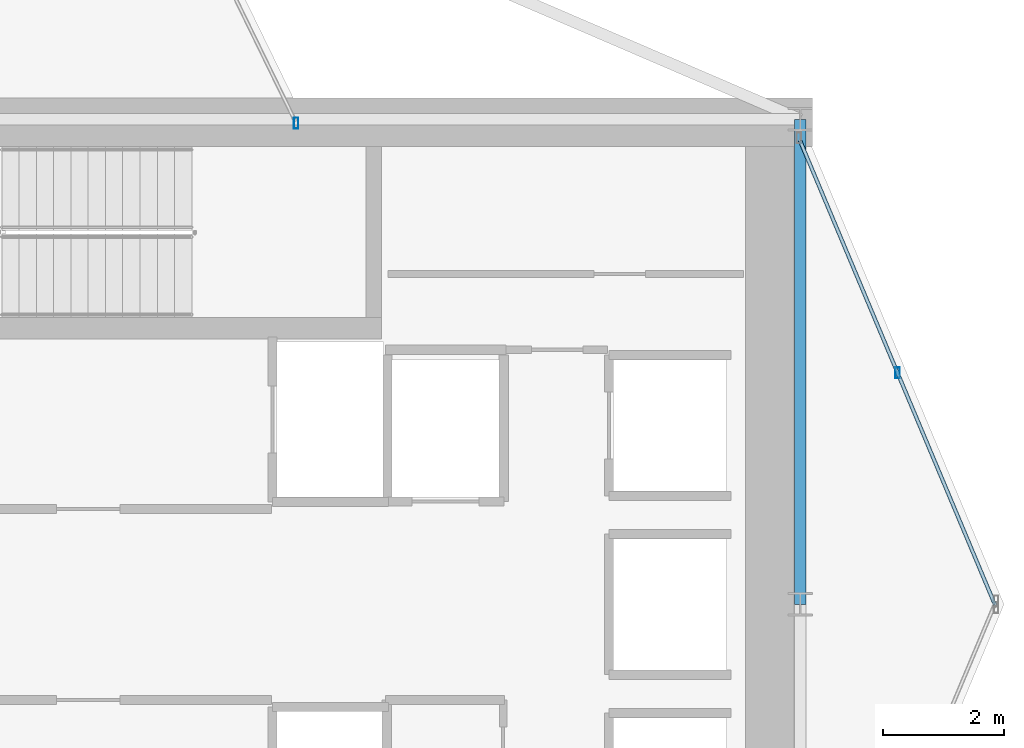
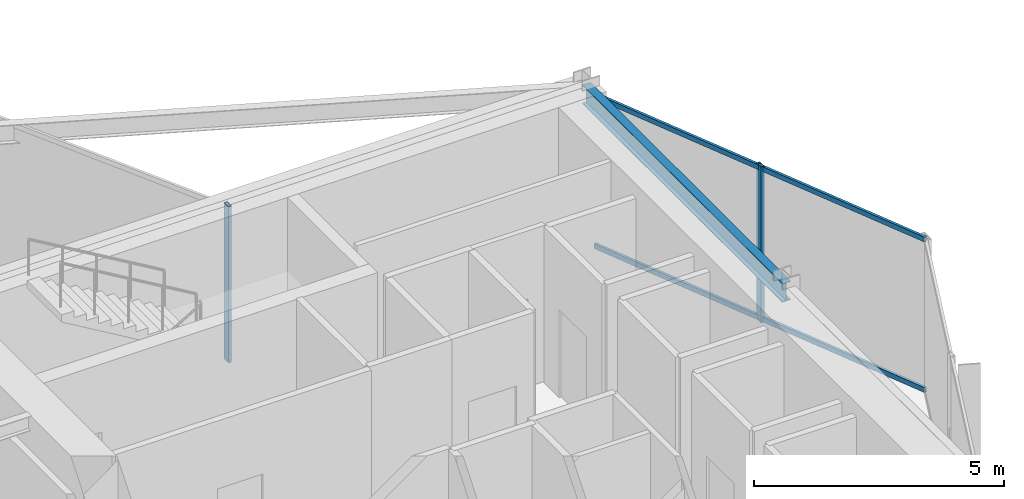
# One storey, part 14 of 25: 4 members, 1 beam, 2 elements without a shape of their own.
"""IFC4 building model written with IfcOpenShell, lengths in metres."""

from ifc_helpers import new_model, si_unit, direction, frame, origin, origin_2d, place, context, subcontext, project, spatial, hollow_rectangle, i_section, extrude, material, layer, layer_set, material_profile, profile_set, type_object, element, aggregate, save


model = new_model("IFC4")

# Units and contexts
model_context = context("Model", 3, precision=1e-05, world=origin(), true_north=direction((0.0, 1.0)))
body_context = subcontext(model_context, "Body", "Model", "MODEL_VIEW")
ifc_project = project(units=[si_unit("LENGTHUNIT", "METRE"), si_unit("AREAUNIT", "SQUARE_METRE"), si_unit("VOLUMEUNIT", "CUBIC_METRE"), si_unit("PLANEANGLEUNIT", "RADIAN"), si_unit("MASSUNIT", "GRAM", prefix="KILO")], contexts=[model_context])

# Site, building, storey
site_placement = place(None, origin())
site = spatial("IfcSite", under=ifc_project, at=site_placement, CompositionType="ELEMENT")
building_placement = place(site_placement, origin())
building = spatial("IfcBuilding", under=site, at=building_placement, Name="Veymaron Broadcast Tower", CompositionType="ELEMENT")
storey_placement = place(building_placement, frame((0.0, 0.0, 120.89990234375)))
storey = spatial("IfcBuildingStorey", under=building, at=storey_placement, Name="L27", CompositionType="ELEMENT", Elevation=120.89990234375)

# Beam
ifc_material_1 = material(Name="Structural steel ASTM A992 Gr 50", Category="steel")
ifc_material_profile_1 = material_profile(ifc_material_1, i_section(OverallWidth=0.19091796875, OverallDepth=0.4599609375, WebThickness=0.010009765625, FlangeThickness=0.01611328125, at=origin_2d()), Name="W460X82")
ifc_profile_set_1 = profile_set([ifc_material_profile_1], Name="Structural steel ASTM A992 Gr 50")
beam_type = type_object("IfcBeamType", Name="BM-SP1", PredefinedType="SPANDREL", material=ifc_profile_set_1)
beam_placement = place(storey_placement, frame((54.60009765625, 24.0, 3.580078125), z_axis=(0.0, 1.0, 0.0), x_axis=(-1.0, 0.0, 0.0)))
element("IfcBeam", 1, at=beam_placement, inside=storey, type_object=beam_type, Name="L27 primary structural floor girder", PredefinedType="SPANDREL", context=body_context, shape_type="SweptSolid", body=[
    extrude(i_section(OverallWidth=0.19091796875, OverallDepth=0.4599609375, WebThickness=0.010009765625, FlangeThickness=0.01611328125, at=origin_2d()), origin(), (0.0, 0.0, 1.0), 8.0),
])

# Curtain wall, member
ifc_material_2 = material(Name="Anodised aluminium AA 6063-T6 and laminated low-E dark glass", Category="aluminium")
ifc_layer = layer(ifc_material_2, 0.179931640625)
ifc_layer_set = layer_set([ifc_layer], Name="Anodised aluminium AA 6063-T6 and laminated low-E dark glass")
curtain_wall_type = type_object("IfcCurtainWallType", Name="CW-SYS-03", PredefinedType="NOTDEFINED", material=ifc_layer_set)
curtain_wall_1_placement = place(storey_placement, origin())
curtain_wall_1 = element("IfcCurtainWall", 2, at=curtain_wall_1_placement, inside=storey, type_object=curtain_wall_type, Name="L27 dark-glass curtain wall CW-L27-E3-1", PredefinedType="NOTDEFINED")
ifc_material_3 = material(Name="Anodised aluminium AA 6063-T6", Category="aluminium")
ifc_material_profile_2 = material_profile(ifc_material_3, hollow_rectangle(XDim=0.074951171875, YDim=0.179931640625, WallThickness=0.0048828125, at=origin_2d()), Name="AL180X75X5")
ifc_profile_set_2 = profile_set([ifc_material_profile_2], Name="Anodised aluminium AA 6063-T6")
member_type_1 = type_object("IfcMemberType", Name="CW-MUL-02", PredefinedType="MULLION", material=ifc_profile_set_2)
member_1_placement = place(storey_placement, frame((56.203857421875, 27.819580078125, 0.0), z_axis=(0.0, 0.0, 1.0), x_axis=(1.0, 0.0, 0.0)))
member_1 = element("IfcMember", 3, at=member_1_placement, type_object=member_type_1, Name="CW-L27-E3-1 mullion 1", PredefinedType="MULLION", context=body_context, shape_type="SweptSolid", body=[
    extrude(hollow_rectangle(XDim=0.074951171875, YDim=0.179931640625, WallThickness=0.0048828125, at=origin_2d()), origin(), (0.0, 0.0, 1.0), 3.81005859375),
])

curtain_wall_2_placement = place(storey_placement, origin())
curtain_wall_2 = element("IfcCurtainWall", 4, at=curtain_wall_2_placement, inside=storey, type_object=curtain_wall_type, Name="L27 dark-glass curtain wall CW-L27-E5-1", PredefinedType="NOTDEFINED")
member_2_placement = place(storey_placement, frame((46.284423828125, 31.938720703125, 0.0), z_axis=(0.0, 0.0, 1.0), x_axis=(1.0, 0.0, 0.0)))
member_2 = element("IfcMember", 5, at=member_2_placement, type_object=member_type_1, Name="CW-L27-E5-1 mullion 0", PredefinedType="MULLION", context=body_context, shape_type="SweptSolid", body=[
    extrude(hollow_rectangle(XDim=0.074951171875, YDim=0.179931640625, WallThickness=0.0048828125, at=origin_2d()), origin(), (0.0, 0.0, 1.0), 3.81005859375),
])
aggregate(curtain_wall_2, [member_2])

# Member
ifc_material_profile_3 = material_profile(ifc_material_3, hollow_rectangle(XDim=0.06005859375, YDim=0.1201171875, WallThickness=0.00390625, at=origin_2d()), Name="AL120X60X4")
ifc_profile_set_3 = profile_set([ifc_material_profile_3], Name="Anodised aluminium AA 6063-T6")
member_type_2 = type_object("IfcMemberType", Name="CW-TRN-02", PredefinedType="USERDEFINED", material=ifc_profile_set_3)
member_3_placement = place(storey_placement, frame((57.8115234375, 23.991943359375, 0.070068359375), z_axis=(-0.387223486805, 0.921985884527, 0.0), x_axis=(-0.921985884527, -0.387223486805, 0.0)))
member_3 = element("IfcMember", 6, at=member_3_placement, type_object=member_type_2, Name="CW-L27-E3-1 transom B", ObjectType="TRANSOM", PredefinedType="USERDEFINED", context=body_context, shape_type="SweptSolid", body=[
    extrude(hollow_rectangle(XDim=0.06005859375, YDim=0.1201171875, WallThickness=0.00390625, at=origin_2d()), origin(), (0.0, 0.0, 1.0), 8.303466796875),
])

member_4_placement = place(storey_placement, frame((57.8115234375, 23.991943359375, 3.739990234375), z_axis=(-0.387223486805, 0.921985884527, 0.0), x_axis=(-0.921985884527, -0.387223486805, 0.0)))
member_4 = element("IfcMember", 7, at=member_4_placement, type_object=member_type_2, Name="CW-L27-E3-1 transom T", ObjectType="TRANSOM", PredefinedType="USERDEFINED", context=body_context, shape_type="SweptSolid", body=[
    extrude(hollow_rectangle(XDim=0.06005859375, YDim=0.1201171875, WallThickness=0.00390625, at=origin_2d()), origin(), (0.0, 0.0, 1.0), 8.303466796875),
])

aggregate(curtain_wall_1, [member_1, member_3, member_4])

save(model, "model.ifc")
